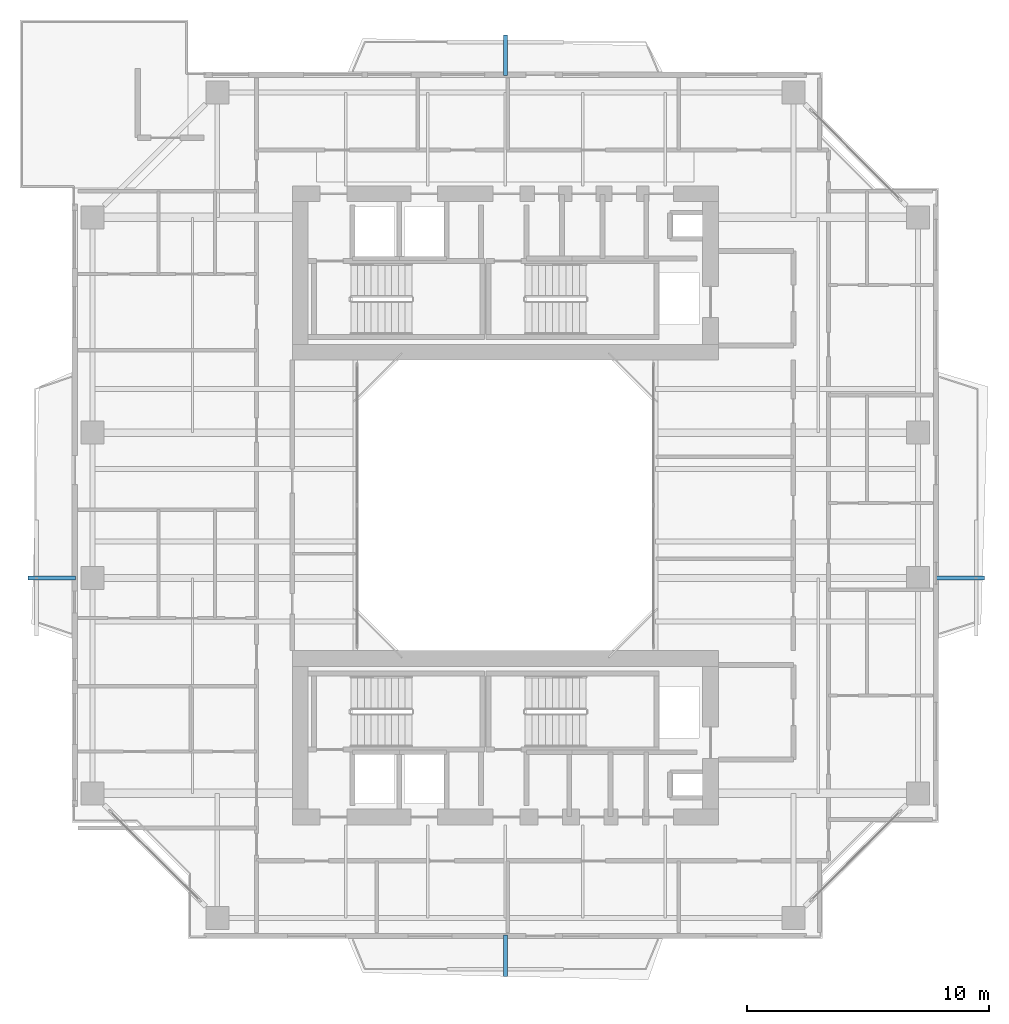
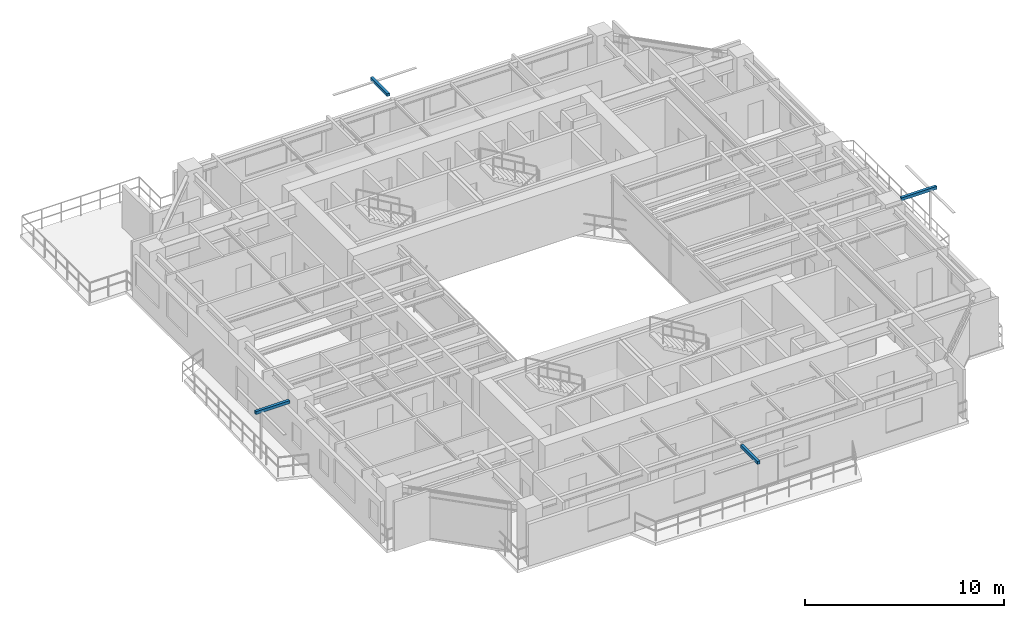
# One storey, part 15 of 18: 4 discrete accessories.
"""IFC4 building model written with IfcOpenShell, lengths in metres."""

from ifc_helpers import new_model, si_unit, direction, frame, origin, origin_2d, place, context, subcontext, project, spatial, rectangle, extrude, source, transform, mapped, material, type_object, element, save


model = new_model("IFC4")

# Units and contexts
model_context = context("Model", 3, precision=1e-05, world=origin(), true_north=direction((0.0, 1.0)))
body_context = subcontext(model_context, "Body", "Model", "MODEL_VIEW")
ifc_project = project(units=[si_unit("LENGTHUNIT", "METRE"), si_unit("AREAUNIT", "SQUARE_METRE"), si_unit("VOLUMEUNIT", "CUBIC_METRE"), si_unit("PLANEANGLEUNIT", "RADIAN"), si_unit("MASSUNIT", "GRAM", prefix="KILO"), si_unit("THERMODYNAMICTEMPERATUREUNIT", "KELVIN"), si_unit("POWERUNIT", "WATT")], contexts=[model_context])

# Site, building, storey
site_placement = place(None, origin())
site = spatial("IfcSite", under=ifc_project, at=site_placement, CompositionType="ELEMENT")
building_placement = place(site_placement, origin())
building = spatial("IfcBuilding", under=site, at=building_placement, Name="Qiaomeng Ring Towers", CompositionType="ELEMENT")
storey_placement = place(building_placement, frame((0.0, 0.0, 182.75)))
storey = spatial("IfcBuildingStorey", under=building, at=storey_placement, Name="L53", CompositionType="ELEMENT", Elevation=182.75)

# Discrete accessories
ifc_material = material(Name="Stainless steel 316", Category="steel")
discrete_accessory_type = type_object("IfcDiscreteAccessoryType", Name="ARC-ACC-BRACKET", PredefinedType="BRACKET", material=ifc_material)
shared_shape_1 = source(origin(), body_context, "Body", "SweptSolid", [
    extrude(rectangle(XDim=2.050048828125, YDim=0.159912109375, at=origin_2d()), origin(), (0.0, 0.0, 1.0), 0.179931640625),
])
discrete_accessory_1_placement = place(storey_placement, frame((37.77490234375, 20.0, 2.85986328125), z_axis=(0.0, 0.0, 1.0), x_axis=(1.0, 0.0, 0.0)))
element("IfcDiscreteAccessory", 1, at=discrete_accessory_1_placement, inside=storey, type_object=discrete_accessory_type, Name="L53 Stainless Outer-Skin Tie Bracket E", PredefinedType="BRACKET", context=body_context, shape_type="MappedRepresentation", body=[
    mapped(shared_shape_1, transform((0.0, 0.0, 0.0), x_axis=(1.0, 0.0, 0.0), y_axis=(0.0, 1.0, 0.0), z_axis=(0.0, 0.0, 1.0), scale=1.0)),
])
shared_shape_2 = source(origin(), body_context, "Body", "SweptSolid", [
    extrude(rectangle(XDim=0.159912109375, YDim=1.7099609375, at=origin_2d()), origin(), (0.0, 0.0, 1.0), 0.179931640625),
])
discrete_accessory_2_placement = place(storey_placement, frame((19.0, 4.39501953125, 2.85986328125), z_axis=(0.0, 0.0, 1.0), x_axis=(1.0, 0.0, 0.0)))
element("IfcDiscreteAccessory", 2, at=discrete_accessory_2_placement, inside=storey, type_object=discrete_accessory_type, Name="L53 Stainless Outer-Skin Tie Bracket S", PredefinedType="BRACKET", context=body_context, shape_type="MappedRepresentation", body=[
    mapped(shared_shape_2, transform((0.0, 0.0, 0.0), x_axis=(1.0, 0.0, 0.0), y_axis=(0.0, 1.0, 0.0), z_axis=(0.0, 0.0, 1.0), scale=1.0)),
])
shared_shape_3 = source(origin(), body_context, "Body", "SweptSolid", [
    extrude(rectangle(XDim=0.159912109375, YDim=1.68994140625, at=origin_2d()), origin(), (0.0, 0.0, 1.0), 0.179931640625),
])
discrete_accessory_3_placement = place(storey_placement, frame((19.0, 41.594970703125, 2.85986328125), z_axis=(0.0, 0.0, 1.0), x_axis=(1.0, 0.0, 0.0)))
element("IfcDiscreteAccessory", 3, at=discrete_accessory_3_placement, inside=storey, type_object=discrete_accessory_type, Name="L53 Stainless Outer-Skin Tie Bracket N", PredefinedType="BRACKET", context=body_context, shape_type="MappedRepresentation", body=[
    mapped(shared_shape_3, transform((0.0, 0.0, 0.0), x_axis=(1.0, 0.0, 0.0), y_axis=(0.0, 1.0, 0.0), z_axis=(0.0, 0.0, 1.0), scale=1.0)),
])
shared_shape_4 = source(origin(), body_context, "Body", "SweptSolid", [
    extrude(rectangle(XDim=1.969970703125, YDim=0.159912109375, at=origin_2d()), origin(), (0.0, 0.0, 1.0), 0.179931640625),
])
discrete_accessory_4_placement = place(storey_placement, frame((0.264892578125, 20.0, 2.85986328125), z_axis=(0.0, 0.0, 1.0), x_axis=(1.0, 0.0, 0.0)))
element("IfcDiscreteAccessory", 4, at=discrete_accessory_4_placement, inside=storey, type_object=discrete_accessory_type, Name="L53 Stainless Outer-Skin Tie Bracket W", PredefinedType="BRACKET", context=body_context, shape_type="MappedRepresentation", body=[
    mapped(shared_shape_4, transform((0.0, 0.0, 0.0), x_axis=(1.0, 0.0, 0.0), y_axis=(0.0, 1.0, 0.0), z_axis=(0.0, 0.0, 1.0), scale=1.0)),
])

save(model, "model.ifc")
